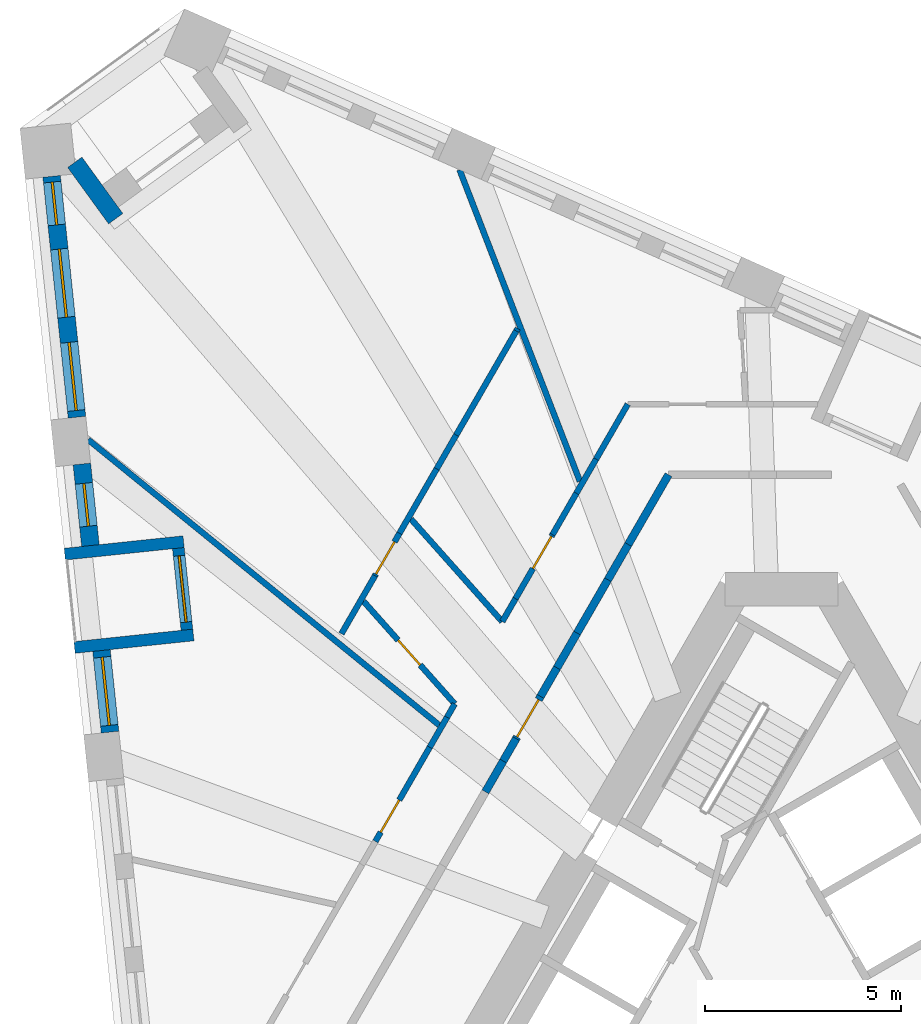
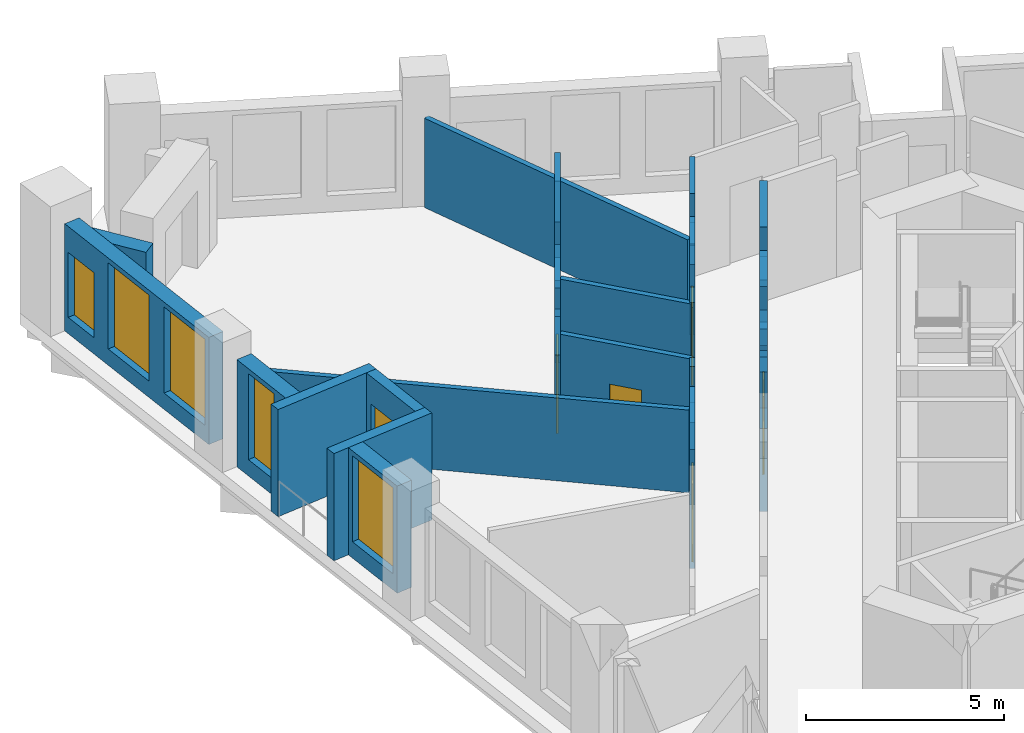
# One storey, part 7 of 14: 33 walls, 6 doors, 5 windows, 11 openings.
"""IFC4 building model written with IfcOpenShell, lengths in metres."""

from ifc_helpers import new_model, si_unit, direction, frame, frame_2d, origin, place, context, subcontext, project, spatial, polyline, rectangle, outline, extrude, material, layer, layer_set, type_object, element, fill, save


model = new_model("IFC4")

# Units and contexts
model_context = context("Model", 3, precision=1e-05, world=origin(), true_north=direction((0.0, 1.0)))
body_context = subcontext(model_context, "Body", "Model", "MODEL_VIEW")
ifc_project = project(units=[si_unit("LENGTHUNIT", "METRE"), si_unit("AREAUNIT", "SQUARE_METRE"), si_unit("VOLUMEUNIT", "CUBIC_METRE"), si_unit("PLANEANGLEUNIT", "RADIAN"), si_unit("MASSUNIT", "GRAM", prefix="KILO")], contexts=[model_context])

# Site, building, storey
site_placement = place(None, origin())
site = spatial("IfcSite", under=ifc_project, at=site_placement, CompositionType="ELEMENT")
building_placement = place(site_placement, origin())
building = spatial("IfcBuilding", under=site, at=building_placement, Name="Tramontana Tower", CompositionType="ELEMENT")
storey_placement = place(building_placement, frame((0.0, 0.0, 166.800048828125)))
storey = spatial("IfcBuildingStorey", under=building, at=storey_placement, Name="L38", CompositionType="ELEMENT", Elevation=166.800048828125)

# Walls
ifc_material_1 = material(Name="Blockwork", Category="masonry")
ifc_layer_1 = layer(ifc_material_1, 0.199951171875)
ifc_layer_set_1 = layer_set([ifc_layer_1], Name="ENTRY WALL 200")
wall_type_1 = type_object("IfcWallType", Name="ENTRY WALL 200", PredefinedType="SOLIDWALL", material=ifc_layer_set_1)
wall_1_placement = place(storey_placement, frame((-7.561279296875, 5.403564453125, 0.0), z_axis=(0.0, 0.0, 1.0), x_axis=(0.499977996243, 0.866038107287, 0.0)))
element("IfcWall", 1, at=wall_1_placement, inside=storey, type_object=wall_type_1, Name="Wall v40-ew4-5", PredefinedType="SOLIDWALL", context=body_context, shape_type="SweptSolid", body=[
    extrude(rectangle(XDim=0.90966796875, YDim=0.199951171875, at=frame_2d((0.454833984375, 0.0))), origin(), (0.0, 0.0, 1.0), 2.550048828125),
])
wall_2_placement = place(storey_placement, frame((-7.1064453125, 6.19140625, 0.0), z_axis=(0.0, 0.0, 1.0), x_axis=(0.500160401961, 0.865932775861, 0.0)))
element("IfcWall", 2, at=wall_2_placement, inside=storey, type_object=wall_type_1, Name="Wall v40-ew4-6", PredefinedType="SOLIDWALL", context=body_context, shape_type="SweptSolid", body=[
    extrude(rectangle(XDim=0.659423828125, YDim=0.199951171875, at=frame_2d((0.32958984375, 0.0))), origin(), (0.0, 0.0, 1.0), 3.64990234375),
])

# Wall, opening, door
wall_3_placement = place(storey_placement, frame((-6.776611328125, 6.762451171875, 0.0), z_axis=(0.0, 0.0, 1.0), x_axis=(0.499977039259, 0.866038659768, 0.0)))
wall_3 = element("IfcWall", 3, at=wall_3_placement, inside=storey, type_object=wall_type_1, Name="Wall v40-ew4-7", PredefinedType="SOLIDWALL", context=body_context, shape_type="SweptSolid", body=[
    extrude(outline(polyline([(0.0, 0.0), (1.2451171875, 0.0), (1.2451171875, 2.550048828125), (0.291748046875, 2.550048828125), (0.291748046875, 3.64990234375), (0.0, 3.64990234375), (0.0, 0.0)])), frame((0.0, 0.10009765625, 0.0), z_axis=(0.0, -1.0, 0.0), x_axis=(1.0, 0.0, 0.0)), (0.0, 0.0, 1.0), 0.199951171875),
])
opening_1_placement = place(wall_3_placement, frame((0.050048828125, 0.0, 0.0)))
opening_1 = element("IfcOpeningElement", 4, at=opening_1_placement, cuts=wall_3, Name="Opening B4A-22", PredefinedType="OPENING", context=body_context, shape_type="SweptSolid", body=[
    extrude(rectangle(XDim=1.10009765625, YDim=2.39990234375, at=frame_2d((0.550048828125, 1.199951171875))), frame((0.0, 0.10986328125, 0.0), z_axis=(0.0, -1.0, 0.0), x_axis=(1.0, 0.0, 0.0)), (0.0, 0.0, 1.0), 0.219970703125),
])
ifc_material_2 = material(Name="Painted timber", Category="wood")
door_type_1 = type_object("IfcDoorType", Name="DOOR ENTRY 1100", OperationType="SINGLE_SWING_LEFT", PredefinedType="DOOR", material=ifc_material_2)
door_1_placement = place(opening_1_placement, origin())
door_1 = element("IfcDoor", 5, at=door_1_placement, inside=storey, type_object=door_type_1, Name="Door B4A-22", OperationType="SINGLE_SWING_RIGHT", OverallHeight=2.39990234375, OverallWidth=1.10009765625, PredefinedType="DOOR", context=body_context, shape_type="SweptSolid", body=[
    extrude(rectangle(XDim=1.10009765625, YDim=2.39990234375, at=frame_2d((0.550048828125, 1.199951171875))), frame((0.0, 0.02490234375, 0.0), z_axis=(0.0, -1.0, 0.0), x_axis=(1.0, 0.0, 0.0)), (0.0, 0.0, 1.0), 0.050048828125),
])
fill(opening_1, door_1)

# Walls
wall_4_placement = place(storey_placement, frame((-6.154052734375, 7.8408203125, 0.0), z_axis=(0.0, 0.0, 1.0), x_axis=(0.499822960955, 0.8661275932, 0.0)))
element("IfcWall", 6, at=wall_4_placement, inside=storey, type_object=wall_type_1, Name="Wall v40-ew4-8", PredefinedType="SOLIDWALL", context=body_context, shape_type="SweptSolid", body=[
    extrude(rectangle(XDim=0.841064453125, YDim=0.199951171875, at=frame_2d((0.42041015625, 0.0))), origin(), (0.0, 0.0, 1.0), 3.64990234375),
])
wall_5_placement = place(storey_placement, frame((-5.733642578125, 8.5693359375, 0.0), z_axis=(0.0, 0.0, 1.0), x_axis=(0.500079402778, 0.865979555715, 0.0)))
element("IfcWall", 7, at=wall_5_placement, inside=storey, type_object=wall_type_1, Name="Wall v40-ew4-9", PredefinedType="SOLIDWALL", context=body_context, shape_type="SweptSolid", body=[
    extrude(rectangle(XDim=1.026123046875, YDim=0.199951171875, at=frame_2d((0.51318359375, 0.0))), origin(), (0.0, 0.0, 1.0), 2.550048828125),
])
wall_6_placement = place(storey_placement, frame((-5.220458984375, 9.4580078125, 0.0), z_axis=(0.0, 0.0, 1.0), x_axis=(0.500031717574, 0.86600709086, 0.0)))
element("IfcWall", 8, at=wall_6_placement, inside=storey, type_object=wall_type_1, Name="Wall v40-ew4-10", PredefinedType="SOLIDWALL", context=body_context, shape_type="SweptSolid", body=[
    extrude(rectangle(XDim=1.57177734375, YDim=0.199951171875, at=frame_2d((0.785888671875, 0.0))), origin(), (0.0, 0.0, 1.0), 3.64990234375),
])
wall_7_placement = place(storey_placement, frame((-4.4345703125, 10.819091796875, 0.0), z_axis=(0.0, 0.0, 1.0), x_axis=(0.500054530113, 0.86599391852, 0.0)))
element("IfcWall", 9, at=wall_7_placement, inside=storey, type_object=wall_type_1, Name="Wall v40-ew4-11", PredefinedType="SOLIDWALL", context=body_context, shape_type="SweptSolid", body=[
    extrude(rectangle(XDim=1.03955078125, YDim=0.199951171875, at=frame_2d((0.519775390625, 0.0))), origin(), (0.0, 0.0, 1.0), 2.75),
])
wall_8_placement = place(storey_placement, frame((-3.914794921875, 11.71923828125, 0.0), z_axis=(0.0, 0.0, 1.0), x_axis=(0.499982825521, 0.866035319247, 0.0)))
element("IfcWall", 10, at=wall_8_placement, inside=storey, type_object=wall_type_1, Name="Wall v40-ew4-12", PredefinedType="SOLIDWALL", context=body_context, shape_type="SweptSolid", body=[
    extrude(rectangle(XDim=2.05615234375, YDim=0.199951171875, at=frame_2d((1.028076171875, 0.0))), origin(), (0.0, 0.0, 1.0), 3.64990234375),
])

# Wall, openings, windows
ifc_material_3 = material(Name="Precast concrete 60 MPa", Category="concrete")
ifc_layer_2 = layer(ifc_material_3, 0.449951171875)
ifc_layer_set_2 = layer_set([ifc_layer_2], Name="Precast concrete 60 MPa, 450 mm")
wall_type_2 = type_object("IfcWallType", Name="EW1 Stone-faced precast wall 450", PredefinedType="SOLIDWALL", material=ifc_layer_set_2)
wall_9_placement = place(storey_placement, frame((-18.63427734375, 21.116455078125, 0.0), z_axis=(0.0, 0.0, 1.0), x_axis=(0.104522399115, -0.994522532718, 0.0)))
wall_9 = element("IfcWall", 11, at=wall_9_placement, inside=storey, type_object=wall_type_2, Name="External wall L38 face 0 bay 1", PredefinedType="SOLIDWALL", context=body_context, shape_type="SweptSolid", body=[
    extrude(rectangle(XDim=6.182861328125, YDim=0.449951171875, at=frame_2d((3.09130859375, 0.0))), origin(), (0.0, 0.0, 1.0), 3.300048828125),
])
opening_2_placement = place(wall_9_placement, frame((0.147216796875, 0.0, 0.5)))
opening_2 = element("IfcOpeningElement", 12, at=opening_2_placement, cuts=wall_9, Name="Opening N2L", PredefinedType="OPENING", context=body_context, shape_type="SweptSolid", body=[
    extrude(rectangle(XDim=1.10009765625, YDim=2.0, at=frame_2d((0.550048828125, 1.0))), frame((0.0, 0.23486328125, 0.0), z_axis=(0.0, -1.0, 0.0), x_axis=(1.0, 0.0, 0.0)), (0.0, 0.0, 1.0), 0.469970703125),
])
opening_3_placement = place(wall_9_placement, frame((1.866455078125, 0.0, 0.5)))
opening_3 = element("IfcOpeningElement", 13, at=opening_3_placement, cuts=wall_9, Name="Opening M2", PredefinedType="OPENING", context=body_context, shape_type="SweptSolid", body=[
    extrude(rectangle(XDim=1.75, YDim=2.64990234375, at=frame_2d((0.875, 1.324951171875))), frame((0.0, 0.23486328125, 0.0), z_axis=(0.0, -1.0, 0.0), x_axis=(1.0, 0.0, 0.0)), (0.0, 0.0, 1.0), 0.469970703125),
])
opening_4_placement = place(wall_9_placement, frame((4.2607421875, 0.0, 0.5)))
opening_4 = element("IfcOpeningElement", 14, at=opening_4_placement, cuts=wall_9, Name="Opening M2", PredefinedType="OPENING", context=body_context, shape_type="SweptSolid", body=[
    extrude(rectangle(XDim=1.75, YDim=2.64990234375, at=frame_2d((0.875, 1.324951171875))), frame((0.0, 0.23486328125, 0.0), z_axis=(0.0, -1.0, 0.0), x_axis=(1.0, 0.0, 0.0)), (0.0, 0.0, 1.0), 0.469970703125),
])
ifc_material_4 = material(Name="Aluminum frame, double glazing unit", Category="aluminium")
window_type_1 = type_object("IfcWindowType", Name="M2 Window 1.75 x 2.65", PartitioningType="SINGLE_PANEL", PredefinedType="WINDOW", material=ifc_material_4)
window_1_placement = place(opening_3_placement, origin())
window_1 = element("IfcWindow", 15, at=window_1_placement, inside=storey, type_object=window_type_1, Name="Window M2 L38 face 0 module 2", OverallHeight=2.64990234375, OverallWidth=1.75, PartitioningType="SINGLE_PANEL", PredefinedType="WINDOW", context=body_context, shape_type="SweptSolid", body=[
    extrude(rectangle(XDim=1.75, YDim=2.64990234375, at=frame_2d((0.875, 1.324951171875))), frame((0.0, 0.030029296875, 0.0), z_axis=(0.0, -1.0, 0.0), x_axis=(1.0, 0.0, 0.0)), (0.0, 0.0, 1.0), 0.06005859375),
])
fill(opening_3, window_1)
window_2_placement = place(opening_4_placement, origin())
window_2 = element("IfcWindow", 16, at=window_2_placement, inside=storey, type_object=window_type_1, Name="Window M2 L38 face 0 module 3", OverallHeight=2.64990234375, OverallWidth=1.75, PartitioningType="SINGLE_PANEL", PredefinedType="WINDOW", context=body_context, shape_type="SweptSolid", body=[
    extrude(rectangle(XDim=1.75, YDim=2.64990234375, at=frame_2d((0.875, 1.324951171875))), frame((0.0, 0.030029296875, 0.0), z_axis=(0.0, -1.0, 0.0), x_axis=(1.0, 0.0, 0.0)), (0.0, 0.0, 1.0), 0.06005859375),
])
fill(opening_4, window_2)
ifc_material_5 = material(Name="Aluminum frame, double glazing unit", Category="aluminium")
window_type_2 = type_object("IfcWindowType", Name="N2L Window 1.1 x 2", PartitioningType="SINGLE_PANEL", PredefinedType="WINDOW", material=ifc_material_5)
window_3_placement = place(opening_2_placement, origin())
window_3 = element("IfcWindow", 17, at=window_3_placement, inside=storey, type_object=window_type_2, Name="Window N2L L38 face 0 module 1", OverallHeight=2.0, OverallWidth=1.10009765625, PartitioningType="SINGLE_PANEL", PredefinedType="WINDOW", context=body_context, shape_type="SweptSolid", body=[
    extrude(rectangle(XDim=1.10009765625, YDim=2.0, at=frame_2d((0.550048828125, 1.0))), frame((0.0, 0.030029296875, 0.0), z_axis=(0.0, -1.0, 0.0), x_axis=(1.0, 0.0, 0.0)), (0.0, 0.0, 1.0), 0.06005859375),
])
fill(opening_2, window_3)

# Wall, opening, window
wall_10_placement = place(storey_placement, frame((-17.862548828125, 13.774169921875, 0.0), z_axis=(0.0, 0.0, 1.0), x_axis=(0.104442071108, -0.994530971756, 0.0)))
wall_10 = element("IfcWall", 18, at=wall_10_placement, inside=storey, type_object=wall_type_2, Name="External wall L38 face 0 bay 2", PredefinedType="SOLIDWALL", context=body_context, shape_type="SweptSolid", body=[
    extrude(rectangle(XDim=2.094482421875, YDim=0.449951171875, at=frame_2d((1.04736328125, 0.0))), origin(), (0.0, 0.0, 1.0), 3.300048828125),
])
opening_5_placement = place(wall_10_placement, frame((0.4970703125, 0.0, 0.5)))
opening_5 = element("IfcOpeningElement", 19, at=opening_5_placement, cuts=wall_10, Name="Opening N2", PredefinedType="OPENING", context=body_context, shape_type="SweptSolid", body=[
    extrude(rectangle(XDim=1.10009765625, YDim=2.64990234375, at=frame_2d((0.550048828125, 1.324951171875))), frame((0.0, 0.23486328125, 0.0), z_axis=(0.0, -1.0, 0.0), x_axis=(1.0, 0.0, 0.0)), (0.0, 0.0, 1.0), 0.469970703125),
])
ifc_material_6 = material(Name="Aluminum frame, double glazing unit", Category="aluminium")
window_type_3 = type_object("IfcWindowType", Name="N2 Window 1.1 x 2.65", PartitioningType="SINGLE_PANEL", PredefinedType="WINDOW", material=ifc_material_6)
window_4_placement = place(opening_5_placement, origin())
window_4 = element("IfcWindow", 20, at=window_4_placement, inside=storey, type_object=window_type_3, Name="Window N2 L38 face 0 module 4", OverallHeight=2.64990234375, OverallWidth=1.10009765625, PartitioningType="SINGLE_PANEL", PredefinedType="WINDOW", context=body_context, shape_type="SweptSolid", body=[
    extrude(rectangle(XDim=1.10009765625, YDim=2.64990234375, at=frame_2d((0.550048828125, 1.324951171875))), frame((0.0, 0.030029296875, 0.0), z_axis=(0.0, -1.0, 0.0), x_axis=(1.0, 0.0, 0.0)), (0.0, 0.0, 1.0), 0.06005859375),
])
fill(opening_5, window_4)

wall_11_placement = place(storey_placement, frame((-17.362060546875, 9.01171875, 0.0), z_axis=(0.0, 0.0, 1.0), x_axis=(0.104569484464, -0.994517583011, 0.0)))
wall_11 = element("IfcWall", 21, at=wall_11_placement, inside=storey, type_object=wall_type_2, Name="External wall L38 face 0 bay 2", PredefinedType="SOLIDWALL", context=body_context, shape_type="SweptSolid", body=[
    extrude(rectangle(XDim=2.09423828125, YDim=0.449951171875, at=frame_2d((1.047119140625, 0.0))), origin(), (0.0, 0.0, 1.0), 3.300048828125),
])
opening_6_placement = place(wall_11_placement, frame((0.172119140625, 0.0, 0.5)))
opening_6 = element("IfcOpeningElement", 22, at=opening_6_placement, cuts=wall_11, Name="Opening M2", PredefinedType="OPENING", context=body_context, shape_type="SweptSolid", body=[
    extrude(rectangle(XDim=1.75, YDim=2.64990234375, at=frame_2d((0.875, 1.324951171875))), frame((0.0, 0.23486328125, 0.0), z_axis=(0.0, -1.0, 0.0), x_axis=(1.0, 0.0, 0.0)), (0.0, 0.0, 1.0), 0.469970703125),
])
window_5_placement = place(opening_6_placement, origin())
window_5 = element("IfcWindow", 23, at=window_5_placement, inside=storey, type_object=window_type_1, Name="Window M2 L38 face 0 module 6", OverallHeight=2.64990234375, OverallWidth=1.75, PartitioningType="SINGLE_PANEL", PredefinedType="WINDOW", context=body_context, shape_type="SweptSolid", body=[
    extrude(rectangle(XDim=1.75, YDim=2.64990234375, at=frame_2d((0.875, 1.324951171875))), frame((0.0, 0.030029296875, 0.0), z_axis=(0.0, -1.0, 0.0), x_axis=(1.0, 0.0, 0.0)), (0.0, 0.0, 1.0), 0.06005859375),
])
fill(opening_6, window_5)

# Wall
wall_12_placement = place(storey_placement, frame((-18.04345703125, 21.474853515625, 0.0), z_axis=(0.0, 0.0, 1.0), x_axis=(0.587722853316, -0.809062326209, 0.0)))
element("IfcWall", 24, at=wall_12_placement, inside=storey, type_object=wall_type_2, Name="Corner loggia side wall L38 K40l", PredefinedType="SOLIDWALL", context=body_context, shape_type="SweptSolid", body=[
    extrude(rectangle(XDim=1.779052734375, YDim=0.449951171875, at=frame_2d((0.8896484375, 0.0))), origin(), (0.0, 0.0, 1.0), 2.550048828125),
])

# Wall, opening, door
ifc_material_7 = material(Name="Precast concrete 60 MPa", Category="concrete")
ifc_layer_3 = layer(ifc_material_7, 0.300048828125)
ifc_layer_set_3 = layer_set([ifc_layer_3], Name="LW1 Stone-faced loggia wall 300")
wall_type_3 = type_object("IfcWallType", Name="LW1 Stone-faced loggia wall 300", PredefinedType="SOLIDWALL", material=ifc_layer_set_3)
wall_13_placement = place(storey_placement, frame((-15.399658203125, 11.62548828125, 0.0), z_axis=(0.0, 0.0, 1.0), x_axis=(0.104569484464, -0.994517583011, 0.0)))
wall_13 = element("IfcWall", 25, at=wall_13_placement, inside=storey, type_object=wall_type_3, Name="Loggia wall L38 G4S0.4", PredefinedType="SOLIDWALL", context=body_context, shape_type="SweptSolid", body=[
    extrude(rectangle(XDim=2.09423828125, YDim=0.300048828125, at=frame_2d((1.047119140625, 0.0))), origin(), (0.0, 0.0, 1.0), 3.300048828125),
])
opening_7_placement = place(wall_13_placement, frame((0.197265625, 0.0, 0.0)))
opening_7 = element("IfcOpeningElement", 26, at=opening_7_placement, cuts=wall_13, Name="Opening BD-4S0-04", PredefinedType="OPENING", context=body_context, shape_type="SweptSolid", body=[
    extrude(rectangle(XDim=1.699951171875, YDim=2.449951171875, at=frame_2d((0.85009765625, 1.22509765625))), frame((0.0, 0.159912109375, 0.0), z_axis=(0.0, -1.0, 0.0), x_axis=(1.0, 0.0, 0.0)), (0.0, 0.0, 1.0), 0.320068359375),
])
ifc_material_8 = material(Name="Aluminum frame, double glazing unit", Category="aluminium")
door_type_2 = type_object("IfcDoorType", Name="BD2 Sliding door 1.7 x 2.45", OperationType="SLIDING_TO_LEFT", PredefinedType="DOOR", material=ifc_material_8)
door_2_placement = place(opening_7_placement, origin())
door_2 = element("IfcDoor", 27, at=door_2_placement, inside=storey, type_object=door_type_2, Name="Loggia door L38 G4S0.4", OperationType="SLIDING_TO_LEFT", OverallHeight=2.449951171875, OverallWidth=1.699951171875, PredefinedType="DOOR", context=body_context, shape_type="SweptSolid", body=[
    extrude(rectangle(XDim=1.699951171875, YDim=2.449951171875, at=frame_2d((0.85009765625, 1.22509765625))), frame((0.0, 0.02490234375, 0.0), z_axis=(0.0, -1.0, 0.0), x_axis=(1.0, 0.0, 0.0)), (0.0, 0.0, 1.0), 0.050048828125),
])
fill(opening_7, door_2)

# Walls
for number, where, z_axis, x_axis, name in (
    (28, (-18.29931640625, 11.471435546875, 0.0), (0.0, 0.0, 1.0), (0.994520355942, 0.104543108891, 0.0), "Loggia return L38 G4S0.4a"),
    (29, (-18.049072265625, 9.09033203125, 0.0), (0.0, 0.0, 1.0), (0.994520355942, 0.104543108891, 0.0), "Loggia return L38 G4S0.4b"),
):
    element("IfcWall", number, at=place(storey_placement, frame(where, z_axis=z_axis, x_axis=x_axis)), inside=storey, type_object=wall_type_3, Name=name, PredefinedType="SOLIDWALL", context=body_context, shape_type="SweptSolid", body=[
        extrude(rectangle(XDim=3.0498046875, YDim=0.300048828125, at=frame_2d((1.52490234375, 0.0))), origin(), (0.0, 0.0, 1.0), 3.300048828125),
    ])

# Wall, opening, door
ifc_material_9 = material(Name="Gypsum board partition")
ifc_layer_4 = layer(ifc_material_9, 0.14990234375)
ifc_layer_set_4 = layer_set([ifc_layer_4], Name="PARTITION 150")
wall_type_4 = type_object("IfcWallType", Name="PARTITION 150", PredefinedType="PARTITIONING", material=ifc_layer_set_4)
wall_14_placement = place(storey_placement, frame((-10.369384765625, 4.1396484375, 0.0), z_axis=(0.0, 0.0, 1.0), x_axis=(0.50000932403, 0.866020020486, 0.0)))
wall_14 = element("IfcWall", 30, at=wall_14_placement, inside=storey, type_object=wall_type_4, Name="Wall v40-pw03-3", PredefinedType="PARTITIONING", context=body_context, shape_type="SweptSolid", body=[
    extrude(rectangle(XDim=2.77490234375, YDim=0.14990234375, at=frame_2d((1.387451171875, 0.0))), origin(), (0.0, 0.0, 1.0), 3.64990234375),
])
opening_8_placement = place(wall_14_placement, frame((0.269775390625, 0.0, 0.0)))
opening_8 = element("IfcOpeningElement", 31, at=opening_8_placement, cuts=wall_14, Name="Opening B4A-05", PredefinedType="OPENING", context=body_context, shape_type="SweptSolid", body=[
    extrude(rectangle(XDim=0.949951171875, YDim=2.39990234375, at=frame_2d((0.47509765625, 1.199951171875))), frame((0.0, 0.0849609375, 0.0), z_axis=(0.0, -1.0, 0.0), x_axis=(1.0, 0.0, 0.0)), (0.0, 0.0, 1.0), 0.169921875),
])
ifc_material_10 = material(Name="Painted timber", Category="wood")
door_type_3 = type_object("IfcDoorType", Name="DOOR ROOM 950", OperationType="SINGLE_SWING_LEFT", PredefinedType="DOOR", material=ifc_material_10)
door_3_placement = place(opening_8_placement, origin())
door_3 = element("IfcDoor", 32, at=door_3_placement, inside=storey, type_object=door_type_3, Name="Door B4A-05", OperationType="SINGLE_SWING_LEFT", OverallHeight=2.39990234375, OverallWidth=0.949951171875, PredefinedType="DOOR", context=body_context, shape_type="SweptSolid", body=[
    extrude(rectangle(XDim=0.949951171875, YDim=2.39990234375, at=frame_2d((0.47509765625, 1.199951171875))), frame((0.0, 0.02490234375, 0.0), z_axis=(0.0, -1.0, 0.0), x_axis=(1.0, 0.0, 0.0)), (0.0, 0.0, 1.0), 0.050048828125),
])
fill(opening_8, door_3)

# Walls
wall_15_placement = place(storey_placement, frame((-8.98193359375, 6.542724609375, 0.0), z_axis=(0.0, 0.0, 1.0), x_axis=(0.499969398072, 0.866043071095, 0.0)))
element("IfcWall", 33, at=wall_15_placement, inside=storey, type_object=wall_type_4, Name="Wall v40-pw03-4", PredefinedType="PARTITIONING", context=body_context, shape_type="SweptSolid", body=[
    extrude(rectangle(XDim=0.88427734375, YDim=0.14990234375, at=frame_2d((0.442138671875, 0.0))), origin(), (0.0, 0.0, 1.0), 2.550048828125),
])
wall_16_placement = place(storey_placement, frame((-8.539794921875, 7.30859375, 0.0), z_axis=(0.0, 0.0, 1.0), x_axis=(0.499758416753, 0.866164837017, 0.0)))
element("IfcWall", 34, at=wall_16_placement, inside=storey, type_object=wall_type_4, Name="Wall v40-pw03-5", PredefinedType="PARTITIONING", context=body_context, shape_type="SweptSolid", body=[
    extrude(rectangle(XDim=0.391845703125, YDim=0.14990234375, at=frame_2d((0.19580078125, 0.0))), origin(), (0.0, 0.0, 1.0), 3.64990234375),
])
wall_17_placement = place(storey_placement, frame((-11.2353515625, 9.439697265625, 0.0), z_axis=(0.0, 0.0, 1.0), x_axis=(0.499977863513, 0.866038183914, 0.0)))
element("IfcWall", 35, at=wall_17_placement, inside=storey, type_object=wall_type_4, Name="Wall v40-pw06-1", PredefinedType="PARTITIONING", context=body_context, shape_type="SweptSolid", body=[
    extrude(rectangle(XDim=1.7099609375, YDim=0.14990234375, at=frame_2d((0.85498046875, 0.0))), origin(), (0.0, 0.0, 1.0), 3.64990234375),
])

# Wall, opening, door
wall_18_placement = place(storey_placement, frame((-10.38037109375, 10.920654296875, 0.0), z_axis=(0.0, 0.0, 1.0), x_axis=(0.499998165157, 0.866026463129, 0.0)))
wall_18 = element("IfcWall", 36, at=wall_18_placement, inside=storey, type_object=wall_type_4, Name="Wall v40-pw06-2", PredefinedType="PARTITIONING", context=body_context, shape_type="SweptSolid", body=[
    extrude(outline(polyline([(0.0, 0.0), (1.251953125, 0.0), (1.252197265625, 2.550048828125), (0.3251953125, 2.550048828125), (0.3251953125, 3.64990234375), (0.0, 3.64990234375), (0.0, 0.0)])), frame((0.0, 0.074951171875, 0.0), z_axis=(0.0, -1.0, 0.0), x_axis=(1.0, 0.0, 0.0)), (0.0, 0.0, 1.0), 0.14990234375),
])
opening_9_placement = place(wall_18_placement, frame((0.050048828125, 0.0, 0.0)))
opening_9 = element("IfcOpeningElement", 37, at=opening_9_placement, cuts=wall_18, Name="Opening B4A-03", PredefinedType="OPENING", context=body_context, shape_type="SweptSolid", body=[
    extrude(rectangle(XDim=0.949951171875, YDim=2.39990234375, at=frame_2d((0.47509765625, 1.199951171875))), frame((0.0, 0.0849609375, 0.0), z_axis=(0.0, -1.0, 0.0), x_axis=(1.0, 0.0, 0.0)), (0.0, 0.0, 1.0), 0.169921875),
])
door_4_placement = place(opening_9_placement, origin())
door_4 = element("IfcDoor", 38, at=door_4_placement, inside=storey, type_object=door_type_3, Name="Door B4A-03", OperationType="SINGLE_SWING_LEFT", OverallHeight=2.39990234375, OverallWidth=0.949951171875, PredefinedType="DOOR", context=body_context, shape_type="SweptSolid", body=[
    extrude(rectangle(XDim=0.949951171875, YDim=2.39990234375, at=frame_2d((0.47509765625, 1.199951171875))), frame((0.0, 0.02490234375, 0.0), z_axis=(0.0, -1.0, 0.0), x_axis=(1.0, 0.0, 0.0)), (0.0, 0.0, 1.0), 0.050048828125),
])
fill(opening_9, door_4)

# Walls
wall_19_placement = place(storey_placement, frame((-9.75439453125, 12.0048828125, 0.0), z_axis=(0.0, 0.0, 1.0), x_axis=(0.499971120268, 0.866042076863, 0.0)))
element("IfcWall", 39, at=wall_19_placement, inside=storey, type_object=wall_type_4, Name="Wall v40-pw06-3", PredefinedType="PARTITIONING", context=body_context, shape_type="SweptSolid", body=[
    extrude(rectangle(XDim=1.89794921875, YDim=0.14990234375, at=frame_2d((0.948974609375, 0.0))), origin(), (0.0, 0.0, 1.0), 3.64990234375),
])
wall_20_placement = place(storey_placement, frame((-8.805419921875, 13.648681640625, 0.0), z_axis=(0.0, 0.0, 1.0), x_axis=(0.499955472713, 0.866051110099, 0.0)))
element("IfcWall", 40, at=wall_20_placement, inside=storey, type_object=wall_type_4, Name="Wall v40-pw06-4", PredefinedType="PARTITIONING", context=body_context, shape_type="SweptSolid", body=[
    extrude(rectangle(XDim=0.99755859375, YDim=0.14990234375, at=frame_2d((0.498779296875, 0.0))), origin(), (0.0, 0.0, 1.0), 2.550048828125),
])
wall_21_placement = place(storey_placement, frame((-8.306640625, 14.5126953125, 0.0), z_axis=(0.0, 0.0, 1.0), x_axis=(0.500034855457, 0.866005279042, 0.0)))
element("IfcWall", 41, at=wall_21_placement, inside=storey, type_object=wall_type_4, Name="Wall v40-pw06-5", PredefinedType="PARTITIONING", context=body_context, shape_type="SweptSolid", body=[
    extrude(rectangle(XDim=3.066650390625, YDim=0.14990234375, at=frame_2d((1.533203125, 0.0))), origin(), (0.0, 0.0, 1.0), 3.64990234375),
])
wall_22_placement = place(storey_placement, frame((-6.773193359375, 17.16845703125, 0.0), z_axis=(0.0, 0.0, 1.0), x_axis=(0.501423782413, 0.865201820635, 0.0)))
element("IfcWall", 42, at=wall_22_placement, inside=storey, type_object=wall_type_4, Name="Wall v40-pw06-6", PredefinedType="PARTITIONING", context=body_context, shape_type="SweptSolid", body=[
    extrude(rectangle(XDim=0.074462890625, YDim=0.14990234375, at=frame_2d((0.037109375, 0.0))), origin(), (0.0, 0.0, 1.0), 2.75),
])
wall_23_placement = place(storey_placement, frame((-9.459228515625, 12.36572265625, 0.0), z_axis=(0.0, 0.0, 1.0), x_axis=(0.664589031093, -0.747209087037, 0.0)))
element("IfcWall", 43, at=wall_23_placement, inside=storey, type_object=wall_type_4, Name="Wall v40-pw09", PredefinedType="PARTITIONING", context=body_context, shape_type="SweptSolid", body=[
    extrude(rectangle(XDim=3.498779296875, YDim=0.14990234375, at=frame_2d((1.74951171875, 0.0))), origin(), (0.0, 0.0, 1.0), 3.64990234375),
])
wall_24_placement = place(storey_placement, frame((-8.741943359375, 7.108642578125, 0.0), z_axis=(0.0, 0.0, 1.0), x_axis=(-0.775864969599, 0.630899000593, 0.0)))
element("IfcWall", 44, at=wall_24_placement, inside=storey, type_object=wall_type_4, Name="Wall v40-pw10-0", PredefinedType="PARTITIONING", context=body_context, shape_type="SweptSolid", body=[
    extrude(rectangle(XDim=11.548095703125, YDim=0.14990234375, at=frame_2d((5.77392578125, 0.0))), origin(), (0.0, 0.0, 1.0), 2.550048828125),
])

# Wall, opening, door
wall_25_placement = place(storey_placement, frame((-8.34423828125, 7.6513671875, 0.0), z_axis=(0.0, 0.0, 1.0), x_axis=(-0.664580231794, 0.747216913292, 0.0)))
wall_25 = element("IfcWall", 45, at=wall_25_placement, inside=storey, type_object=wall_type_4, Name="Wall v40-pw11", PredefinedType="PARTITIONING", context=body_context, shape_type="SweptSolid", body=[
    extrude(rectangle(XDim=3.5009765625, YDim=0.14990234375, at=frame_2d((1.75048828125, 0.0))), origin(), (0.0, 0.0, 1.0), 3.64990234375),
])
opening_10_placement = place(wall_25_placement, frame((1.325439453125, 0.0, 0.0)))
opening_10 = element("IfcOpeningElement", 46, at=opening_10_placement, cuts=wall_25, Name="Opening B4A-02", PredefinedType="OPENING", context=body_context, shape_type="SweptSolid", body=[
    extrude(rectangle(XDim=0.85009765625, YDim=2.39990234375, at=frame_2d((0.425048828125, 1.199951171875))), frame((0.0, 0.0849609375, 0.0), z_axis=(0.0, -1.0, 0.0), x_axis=(1.0, 0.0, 0.0)), (0.0, 0.0, 1.0), 0.169921875),
])
ifc_material_11 = material(Name="Painted timber", Category="wood")
door_type_4 = type_object("IfcDoorType", Name="DOOR BATH 850", OperationType="SINGLE_SWING_LEFT", PredefinedType="DOOR", material=ifc_material_11)
door_5_placement = place(opening_10_placement, origin())
door_5 = element("IfcDoor", 47, at=door_5_placement, inside=storey, type_object=door_type_4, Name="Door B4A-02", OperationType="SINGLE_SWING_RIGHT", OverallHeight=2.39990234375, OverallWidth=0.85009765625, PredefinedType="DOOR", context=body_context, shape_type="SweptSolid", body=[
    extrude(rectangle(XDim=0.85009765625, YDim=2.39990234375, at=frame_2d((0.425048828125, 1.199951171875))), frame((0.0, 0.02490234375, 0.0), z_axis=(0.0, -1.0, 0.0), x_axis=(1.0, 0.0, 0.0)), (0.0, 0.0, 1.0), 0.050048828125),
])
fill(opening_10, door_5)

# Walls
wall_26_placement = place(storey_placement, frame((-8.2197265625, 21.283203125, 0.0), z_axis=(0.0, 0.0, 1.0), x_axis=(0.360262770677, -0.932850864857, 0.0)))
element("IfcWall", 48, at=wall_26_placement, inside=storey, type_object=wall_type_4, Name="Wall v40-pw12-0", PredefinedType="PARTITIONING", context=body_context, shape_type="SweptSolid", body=[
    extrude(rectangle(XDim=8.523681640625, YDim=0.14990234375, at=frame_2d((4.26171875, 0.0))), origin(), (0.0, 0.0, 1.0), 2.75),
])
wall_27_placement = place(storey_placement, frame((-7.129150390625, 9.751953125, 0.0), z_axis=(0.0, 0.0, 1.0), x_axis=(0.500036104519, 0.866004557827, 0.0)))
element("IfcWall", 49, at=wall_27_placement, inside=storey, type_object=wall_type_4, Name="Wall v40-pw13-0", PredefinedType="PARTITIONING", context=body_context, shape_type="SweptSolid", body=[
    extrude(rectangle(XDim=0.673828125, YDim=0.14990234375, at=frame_2d((0.3369140625, 0.0))), origin(), (0.0, 0.0, 1.0), 3.64990234375),
])

# Wall, opening, door
wall_28_placement = place(storey_placement, frame((-6.792236328125, 10.33544921875, 0.0), z_axis=(0.0, 0.0, 1.0), x_axis=(0.499991068497, 0.866030560329, 0.0)))
wall_28 = element("IfcWall", 50, at=wall_28_placement, inside=storey, type_object=wall_type_4, Name="Wall v40-pw13-1", PredefinedType="PARTITIONING", context=body_context, shape_type="SweptSolid", body=[
    extrude(outline(polyline([(0.0, 0.0), (1.88818359375, 0.0), (1.887939453125, 3.64990234375), (0.997802734375, 3.64990234375), (0.997802734375, 2.550048828125), (0.0, 2.550048828125), (0.0, 0.0)])), frame((0.0, 0.074951171875, 0.0), z_axis=(0.0, -1.0, 0.0), x_axis=(1.0, 0.0, 0.0)), (0.0, 0.0, 1.0), 0.14990234375),
])
opening_11_placement = place(wall_28_placement, frame((0.887939453125, 0.0, 0.0)))
opening_11 = element("IfcOpeningElement", 51, at=opening_11_placement, cuts=wall_28, Name="Opening B4A-01", PredefinedType="OPENING", context=body_context, shape_type="SweptSolid", body=[
    extrude(rectangle(XDim=0.949951171875, YDim=2.39990234375, at=frame_2d((0.47509765625, 1.199951171875))), frame((0.0, 0.0849609375, 0.0), z_axis=(0.0, -1.0, 0.0), x_axis=(1.0, 0.0, 0.0)), (0.0, 0.0, 1.0), 0.169921875),
])
door_6_placement = place(opening_11_placement, origin())
door_6 = element("IfcDoor", 52, at=door_6_placement, inside=storey, type_object=door_type_3, Name="Door B4A-01", OperationType="SINGLE_SWING_LEFT", OverallHeight=2.39990234375, OverallWidth=0.949951171875, PredefinedType="DOOR", context=body_context, shape_type="SweptSolid", body=[
    extrude(rectangle(XDim=0.949951171875, YDim=2.39990234375, at=frame_2d((0.47509765625, 1.199951171875))), frame((0.0, 0.02490234375, 0.0), z_axis=(0.0, -1.0, 0.0), x_axis=(1.0, 0.0, 0.0)), (0.0, 0.0, 1.0), 0.050048828125),
])
fill(opening_11, door_6)

# Walls
wall_29_placement = place(storey_placement, frame((-5.84814453125, 11.970703125, 0.0), z_axis=(0.0, 0.0, 1.0), x_axis=(0.500017246033, 0.866015446554, 0.0)))
element("IfcWall", 53, at=wall_29_placement, inside=storey, type_object=wall_type_4, Name="Wall v40-pw13-2", PredefinedType="PARTITIONING", context=body_context, shape_type="SweptSolid", body=[
    extrude(rectangle(XDim=1.21875, YDim=0.14990234375, at=frame_2d((0.609375, 0.0))), origin(), (0.0, 0.0, 1.0), 3.64990234375),
])
wall_30_placement = place(storey_placement, frame((-5.23876953125, 13.026123046875, 0.0), z_axis=(0.0, 0.0, 1.0), x_axis=(0.499946326053, 0.866056390234, 0.0)))
element("IfcWall", 54, at=wall_30_placement, inside=storey, type_object=wall_type_4, Name="Wall v40-pw13-3", PredefinedType="PARTITIONING", context=body_context, shape_type="SweptSolid", body=[
    extrude(rectangle(XDim=1.0068359375, YDim=0.14990234375, at=frame_2d((0.50341796875, 0.0))), origin(), (0.0, 0.0, 1.0), 2.75),
])
wall_31_placement = place(storey_placement, frame((-4.7353515625, 13.898193359375, 0.0), z_axis=(0.0, 0.0, 1.0), x_axis=(0.499983569942, 0.866034889475, 0.0)))
element("IfcWall", 55, at=wall_31_placement, inside=storey, type_object=wall_type_4, Name="Wall v40-pw13-4", PredefinedType="PARTITIONING", context=body_context, shape_type="SweptSolid", body=[
    extrude(rectangle(XDim=1.61865234375, YDim=0.14990234375, at=frame_2d((0.809326171875, 0.0))), origin(), (0.0, 0.0, 1.0), 3.64990234375),
])

save(model, "model.ifc")
